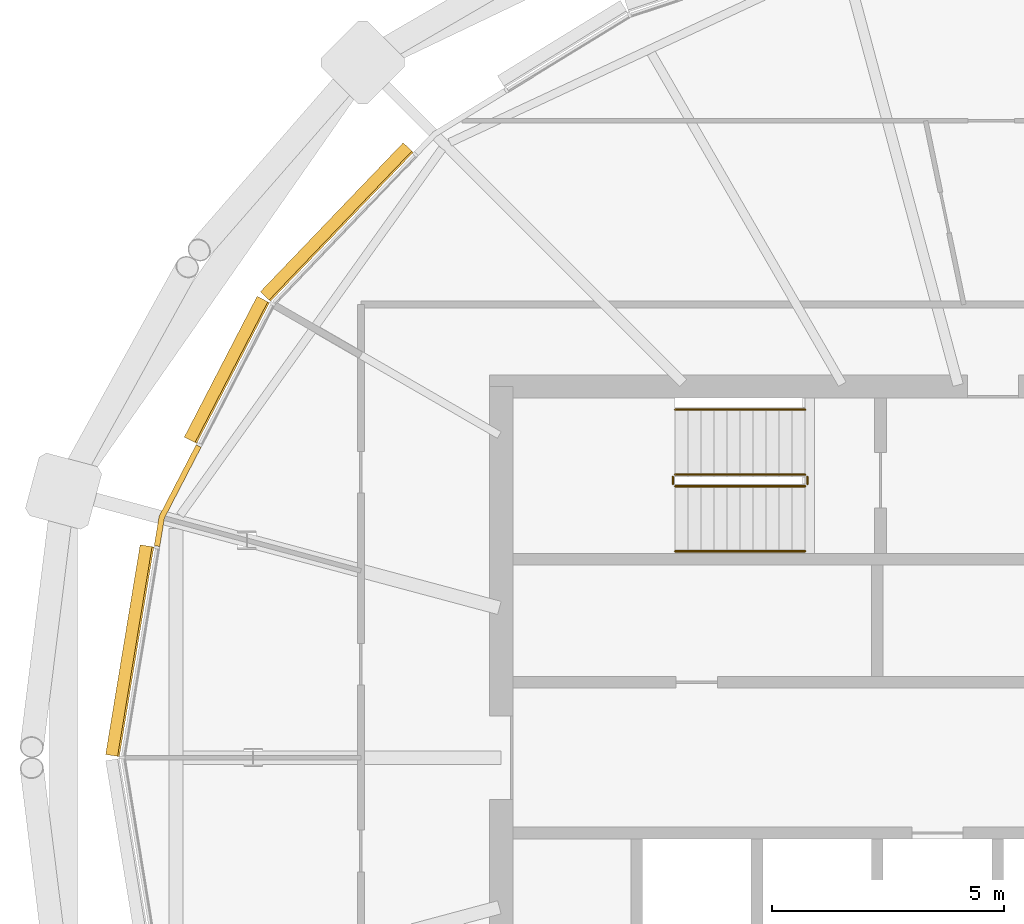
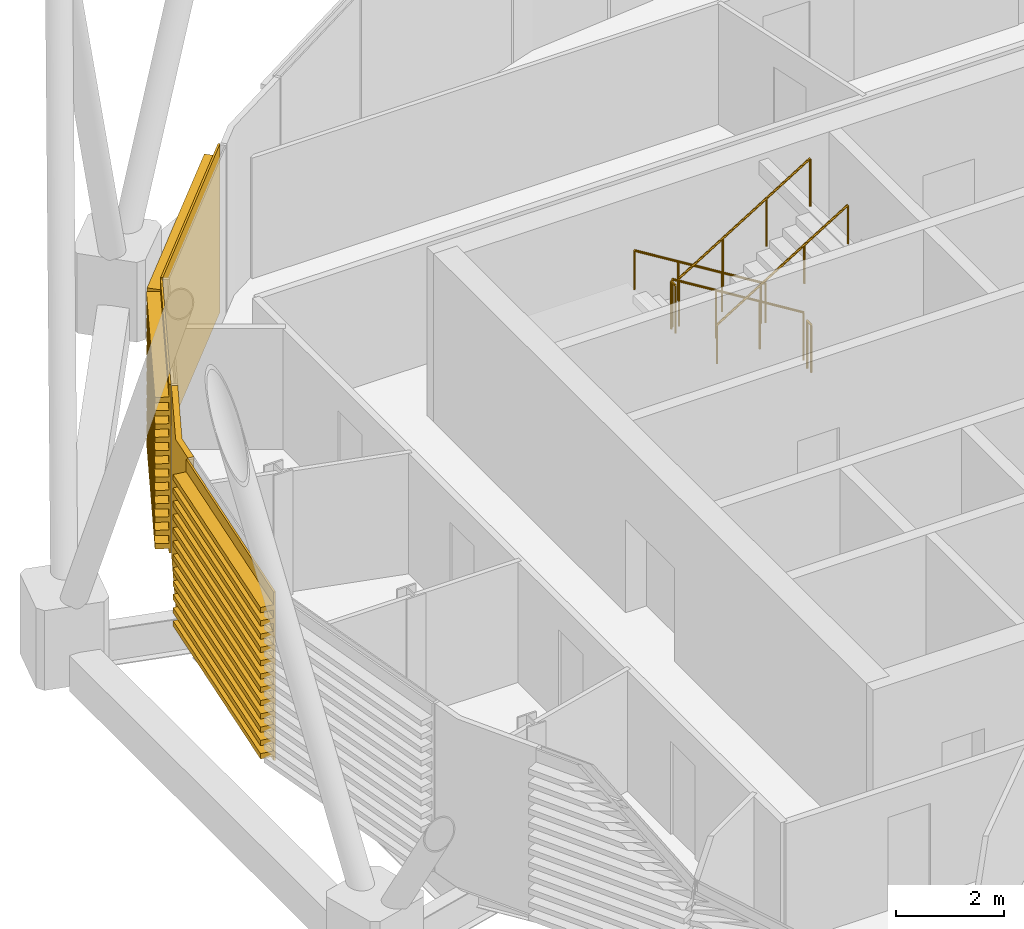
# One storey, part 27 of 31: 6 railings, 4 coverings.
"""IFC4 building model written with IfcOpenShell, lengths in metres."""

from ifc_helpers import new_model, si_unit, direction, frame, origin, origin_2d, place, context, subcontext, project, spatial, polyline, circle, outline, extrude, material, layer, layer_set, material_profile, profile_set, type_object, element, save


model = new_model("IFC4")

# Units and contexts
model_context = context("Model", 3, precision=1e-05, world=origin(), true_north=direction((0.0, 1.0)))
body_context = subcontext(model_context, "Body", "Model", "MODEL_VIEW")
ifc_project = project(units=[si_unit("LENGTHUNIT", "METRE"), si_unit("AREAUNIT", "SQUARE_METRE"), si_unit("VOLUMEUNIT", "CUBIC_METRE"), si_unit("PLANEANGLEUNIT", "RADIAN"), si_unit("MASSUNIT", "GRAM", prefix="KILO")], contexts=[model_context])

# Site, building, storey
site_placement = place(None, origin())
site = spatial("IfcSite", under=ifc_project, at=site_placement, CompositionType="ELEMENT")
building_placement = place(site_placement, origin())
building = spatial("IfcBuilding", under=site, at=building_placement, Name="Rimbun Link Towers", CompositionType="ELEMENT")
storey_placement = place(building_placement, frame((0.0, 0.0, 244.699951171875)))
storey = spatial("IfcBuildingStorey", under=building, at=storey_placement, Name="L60", CompositionType="ELEMENT", Elevation=244.699951171875)

# Covering
ifc_material_1 = material(Name="Terracotta", Category="masonry")
ifc_layer = layer(ifc_material_1, 0.1201171875)
ifc_layer_set = layer_set([ifc_layer], Name="LINK PIER terracotta cladding 120")
covering_type_1 = type_object("IfcCoveringType", Name="LINK PIER terracotta cladding 120", PredefinedType="CLADDING", material=ifc_layer_set)
covering_1_placement = place(storey_placement, origin())
element("IfcCovering", 1, at=covering_1_placement, inside=storey, type_object=covering_type_1, Name="LINK PIER cladding", PredefinedType="CLADDING", context=body_context, shape_type="SweptSolid", body=[
    extrude(outline(polyline([(-51.109619140625, 4.548828125), (-51.009033203125, 5.160400390625), (-50.21875, 6.688232421875), (-50.3251953125, 6.7431640625), (-51.12451171875, 5.19873046875), (-51.22802734375, 4.568115234375), (-51.109619140625, 4.548828125)])), origin(), (0.0, 0.0, 1.0), 3.800048828125),
])

# Railings
ifc_material_2 = material(Name="Stainless steel grade 316", Category="steel")
railing_type_1 = type_object("IfcRailingType", Name="Stair guard", PredefinedType="GUARDRAIL", material=ifc_material_2)
railing_1_placement = place(storey_placement, frame((-37.199951171875, 6.10009765625, 0.1728515625)))
element("IfcRailing", 2, at=railing_1_placement, inside=storey, type_object=railing_type_1, Name="L60 ST1 stair guard 1", PredefinedType="GUARDRAIL", context=body_context, shape_type="SweptSolid", body=[
    extrude(circle(Radius=0.02392578125, at=origin_2d()), frame((0.0, 0.0, 1.076171875), z_axis=(-0.851089632645, 0.0, 0.525020415988), x_axis=(0.0, -1.0, 0.0)), (0.0, 0.0, 1.0), 3.2900390625),
    extrude(circle(Radius=0.02099609375, at=origin_2d()), origin(), (0.0, 0.0, 1.0), 1.052001953125),
    extrude(circle(Radius=0.02099609375, at=origin_2d()), frame((-0.933349609375, 0.0, 0.57568359375)), (0.0, 0.0, 1.0), 1.052001953125),
    extrude(circle(Radius=0.02099609375, at=origin_2d()), frame((-1.86669921875, 0.0, 1.151611328125)), (0.0, 0.0, 1.0), 1.052001953125),
    extrude(circle(Radius=0.02099609375, at=origin_2d()), frame((-2.800048828125, 0.0, 1.727294921875)), (0.0, 0.0, 1.0), 1.052001953125),
])
railing_2_placement = place(storey_placement, frame((-40.050048828125, 6.050048828125, 1.900146484375)))
element("IfcRailing", 3, at=railing_2_placement, inside=storey, type_object=railing_type_1, Name="L60 ST1 stair guard 2", PredefinedType="GUARDRAIL", context=body_context, shape_type="SweptSolid", body=[
    extrude(circle(Radius=0.02392578125, at=origin_2d()), frame((0.0, 0.0, 1.076171875), z_axis=(0.0, -1.0, 0.0), x_axis=(1.0, 0.0, 0.0)), (0.0, 0.0, 1.0), 0.150146484375),
    extrude(circle(Radius=0.02099609375, at=origin_2d()), origin(), (0.0, 0.0, 1.0), 1.052001953125),
    extrude(circle(Radius=0.02099609375, at=origin_2d()), frame((0.0, -0.150146484375, 0.0)), (0.0, 0.0, 1.0), 1.052001953125),
])
railing_3_placement = place(storey_placement, frame((-40.0, 5.85009765625, 2.07275390625)))
element("IfcRailing", 4, at=railing_3_placement, inside=storey, type_object=railing_type_1, Name="L60 ST1 stair guard 3", PredefinedType="GUARDRAIL", context=body_context, shape_type="SweptSolid", body=[
    extrude(circle(Radius=0.02392578125, at=origin_2d()), frame((0.0, 0.0, 1.076171875), z_axis=(0.851089632645, 0.0, 0.525020415988), x_axis=(0.0, 1.0, 0.0)), (0.0, 0.0, 1.0), 3.2900390625),
    extrude(circle(Radius=0.02099609375, at=origin_2d()), origin(), (0.0, 0.0, 1.0), 1.052001953125),
    extrude(circle(Radius=0.02099609375, at=origin_2d()), frame((0.933349609375, 0.0, 0.57568359375)), (0.0, 0.0, 1.0), 1.052001953125),
    extrude(circle(Radius=0.02099609375, at=origin_2d()), frame((1.86669921875, 0.0, 1.151611328125)), (0.0, 0.0, 1.0), 1.052001953125),
    extrude(circle(Radius=0.02099609375, at=origin_2d()), frame((2.800048828125, 0.0, 1.727294921875)), (0.0, 0.0, 1.0), 1.052001953125),
])
railing_4_placement = place(storey_placement, frame((-37.14990234375, 6.050048828125, 0.0)))
element("IfcRailing", 5, at=railing_4_placement, inside=storey, type_object=railing_type_1, Name="L60 ST1 stair guard 4", PredefinedType="GUARDRAIL", context=body_context, shape_type="SweptSolid", body=[
    extrude(circle(Radius=0.02392578125, at=origin_2d()), frame((0.0, 0.0, 1.076171875), z_axis=(0.0, -1.0, 0.0), x_axis=(1.0, 0.0, 0.0)), (0.0, 0.0, 1.0), 0.150146484375),
    extrude(circle(Radius=0.02099609375, at=origin_2d()), origin(), (0.0, 0.0, 1.0), 1.052001953125),
    extrude(circle(Radius=0.02099609375, at=origin_2d()), frame((0.0, -0.150146484375, 0.0)), (0.0, 0.0, 1.0), 1.052001953125),
])
ifc_material_3 = material(Name="Stainless steel grade 316", Category="steel")
railing_type_2 = type_object("IfcRailingType", Name="Stair handrail", PredefinedType="HANDRAIL", material=ifc_material_3)
railing_5_placement = place(storey_placement, frame((-37.199951171875, 7.5, 0.1728515625)))
element("IfcRailing", 6, at=railing_5_placement, inside=storey, type_object=railing_type_2, Name="L60 ST1 stair handrail 1", PredefinedType="HANDRAIL", context=body_context, shape_type="SweptSolid", body=[
    extrude(circle(Radius=0.02392578125, at=origin_2d()), frame((0.0, 0.0, 0.8759765625), z_axis=(-0.851089632645, 0.0, 0.525020415988), x_axis=(0.0, -1.0, 0.0)), (0.0, 0.0, 1.0), 3.2900390625),
    extrude(circle(Radius=0.02099609375, at=origin_2d()), origin(), (0.0, 0.0, 1.0), 0.851806640625),
    extrude(circle(Radius=0.02099609375, at=origin_2d()), frame((-0.933349609375, 0.0, 0.57568359375)), (0.0, 0.0, 1.0), 0.851806640625),
    extrude(circle(Radius=0.02099609375, at=origin_2d()), frame((-1.86669921875, 0.0, 1.151611328125)), (0.0, 0.0, 1.0), 0.851806640625),
    extrude(circle(Radius=0.02099609375, at=origin_2d()), frame((-2.800048828125, 0.0, 1.727294921875)), (0.0, 0.0, 1.0), 0.851806640625),
])
railing_6_placement = place(storey_placement, frame((-40.0, 4.449951171875, 2.07275390625)))
element("IfcRailing", 7, at=railing_6_placement, inside=storey, type_object=railing_type_2, Name="L60 ST1 stair handrail 2", PredefinedType="HANDRAIL", context=body_context, shape_type="SweptSolid", body=[
    extrude(circle(Radius=0.02392578125, at=origin_2d()), frame((0.0, 0.0, 0.8759765625), z_axis=(0.851089632645, 0.0, 0.525020415988), x_axis=(0.0, 1.0, 0.0)), (0.0, 0.0, 1.0), 3.2900390625),
    extrude(circle(Radius=0.02099609375, at=origin_2d()), origin(), (0.0, 0.0, 1.0), 0.851806640625),
    extrude(circle(Radius=0.02099609375, at=origin_2d()), frame((0.933349609375, 0.0, 0.57568359375)), (0.0, 0.0, 1.0), 0.851806640625),
    extrude(circle(Radius=0.02099609375, at=origin_2d()), frame((1.86669921875, 0.0, 1.151611328125)), (0.0, 0.0, 1.0), 0.851806640625),
    extrude(circle(Radius=0.02099609375, at=origin_2d()), frame((2.800048828125, 0.0, 1.727294921875)), (0.0, 0.0, 1.0), 0.851806640625),
])

# Coverings
ifc_material_4 = material(Name="Terracotta", Category="masonry")
ifc_material_profile = material_profile(ifc_material_4, outline(polyline([(0.123046875, 0.0), (0.1630859375, 0.0), (0.1630859375, 0.10009765625), (0.423095703125, 0.10009765625), (0.423095703125, 0.219970703125), (0.1630859375, 0.219970703125), (0.1630859375, 0.39990234375), (0.423095703125, 0.39990234375), (0.423095703125, 0.52001953125), (0.1630859375, 0.52001953125), (0.1630859375, 0.699951171875), (0.423095703125, 0.699951171875), (0.423095703125, 0.820068359375), (0.1630859375, 0.820068359375), (0.1630859375, 1.0), (0.423095703125, 1.0), (0.423095703125, 1.1201171875), (0.1630859375, 1.1201171875), (0.1630859375, 1.300048828125), (0.423095703125, 1.300048828125), (0.423095703125, 1.419921875), (0.1630859375, 1.419921875), (0.1630859375, 1.60009765625), (0.423095703125, 1.60009765625), (0.423095703125, 1.719970703125), (0.1630859375, 1.719970703125), (0.1630859375, 1.89990234375), (0.423095703125, 1.89990234375), (0.423095703125, 2.02001953125), (0.1630859375, 2.02001953125), (0.1630859375, 2.199951171875), (0.423095703125, 2.199951171875), (0.423095703125, 2.320068359375), (0.1630859375, 2.320068359375), (0.1630859375, 2.5), (0.423095703125, 2.5), (0.423095703125, 2.6201171875), (0.1630859375, 2.6201171875), (0.1630859375, 2.800048828125), (0.423095703125, 2.800048828125), (0.423095703125, 2.919921875), (0.1630859375, 2.919921875), (0.1630859375, 3.10009765625), (0.423095703125, 3.10009765625), (0.423095703125, 3.219970703125), (0.1630859375, 3.219970703125), (0.1630859375, 3.39990234375), (0.423095703125, 3.39990234375), (0.423095703125, 3.52001953125), (0.1630859375, 3.52001953125), (0.1630859375, 3.800048828125), (0.123046875, 3.800048828125), (0.123046875, 0.0)])), Name="BAGUETTE 120X300")
ifc_profile_set = profile_set([ifc_material_profile], Name="Terracotta")
covering_type_2 = type_object("IfcCoveringType", Name="TERRACOTTA BAGUETTE 120X300 H3800", PredefinedType="CLADDING", material=ifc_profile_set)
covering_2_placement = place(storey_placement, frame((-48.635009765625, 9.74853515625, 0.0), z_axis=(0.692017431912, 0.721880789279, 0.0), x_axis=(-0.721880789279, 0.692017431912, 0.0)))
element("IfcCovering", 8, at=covering_2_placement, inside=storey, type_object=covering_type_2, Name="TERRACOTTA BAGUETTE", PredefinedType="CLADDING", context=body_context, shape_type="SweptSolid", body=[
    extrude(outline(polyline([(0.123046875, 0.0), (0.1630859375, 0.0), (0.1630859375, 0.10009765625), (0.423095703125, 0.10009765625), (0.423095703125, 0.219970703125), (0.1630859375, 0.219970703125), (0.1630859375, 0.39990234375), (0.423095703125, 0.39990234375), (0.423095703125, 0.52001953125), (0.1630859375, 0.52001953125), (0.1630859375, 0.699951171875), (0.423095703125, 0.699951171875), (0.423095703125, 0.820068359375), (0.1630859375, 0.820068359375), (0.1630859375, 1.0), (0.423095703125, 1.0), (0.423095703125, 1.1201171875), (0.1630859375, 1.1201171875), (0.1630859375, 1.300048828125), (0.423095703125, 1.300048828125), (0.423095703125, 1.419921875), (0.1630859375, 1.419921875), (0.1630859375, 1.60009765625), (0.423095703125, 1.60009765625), (0.423095703125, 1.719970703125), (0.1630859375, 1.719970703125), (0.1630859375, 1.89990234375), (0.423095703125, 1.89990234375), (0.423095703125, 2.02001953125), (0.1630859375, 2.02001953125), (0.1630859375, 2.199951171875), (0.423095703125, 2.199951171875), (0.423095703125, 2.320068359375), (0.1630859375, 2.320068359375), (0.1630859375, 2.5), (0.423095703125, 2.5), (0.423095703125, 2.6201171875), (0.1630859375, 2.6201171875), (0.1630859375, 2.800048828125), (0.423095703125, 2.800048828125), (0.423095703125, 2.919921875), (0.1630859375, 2.919921875), (0.1630859375, 3.10009765625), (0.423095703125, 3.10009765625), (0.423095703125, 3.219970703125), (0.1630859375, 3.219970703125), (0.1630859375, 3.39990234375), (0.423095703125, 3.39990234375), (0.423095703125, 3.52001953125), (0.1630859375, 3.52001953125), (0.1630859375, 3.800048828125), (0.123046875, 3.800048828125), (0.123046875, 0.0)])), origin(), (0.0, 0.0, 1.0), 4.447265625),
])
covering_3_placement = place(storey_placement, frame((-50.204833984375, 6.71484375, 0.0), z_axis=(0.459578465218, 0.888137170885, 0.0), x_axis=(-0.888137170885, 0.459578465218, 0.0)))
element("IfcCovering", 9, at=covering_3_placement, inside=storey, type_object=covering_type_2, Name="TERRACOTTA BAGUETTE", PredefinedType="CLADDING", context=body_context, shape_type="SweptSolid", body=[
    extrude(outline(polyline([(0.123046875, 0.0), (0.1630859375, 0.0), (0.1630859375, 0.10009765625), (0.423095703125, 0.10009765625), (0.423095703125, 0.219970703125), (0.1630859375, 0.219970703125), (0.1630859375, 0.39990234375), (0.423095703125, 0.39990234375), (0.423095703125, 0.52001953125), (0.1630859375, 0.52001953125), (0.1630859375, 0.699951171875), (0.423095703125, 0.699951171875), (0.423095703125, 0.820068359375), (0.1630859375, 0.820068359375), (0.1630859375, 1.0), (0.423095703125, 1.0), (0.423095703125, 1.1201171875), (0.1630859375, 1.1201171875), (0.1630859375, 1.300048828125), (0.423095703125, 1.300048828125), (0.423095703125, 1.419921875), (0.1630859375, 1.419921875), (0.1630859375, 1.60009765625), (0.423095703125, 1.60009765625), (0.423095703125, 1.719970703125), (0.1630859375, 1.719970703125), (0.1630859375, 1.89990234375), (0.423095703125, 1.89990234375), (0.423095703125, 2.02001953125), (0.1630859375, 2.02001953125), (0.1630859375, 2.199951171875), (0.423095703125, 2.199951171875), (0.423095703125, 2.320068359375), (0.1630859375, 2.320068359375), (0.1630859375, 2.5), (0.423095703125, 2.5), (0.423095703125, 2.6201171875), (0.1630859375, 2.6201171875), (0.1630859375, 2.800048828125), (0.423095703125, 2.800048828125), (0.423095703125, 2.919921875), (0.1630859375, 2.919921875), (0.1630859375, 3.10009765625), (0.423095703125, 3.10009765625), (0.423095703125, 3.219970703125), (0.1630859375, 3.219970703125), (0.1630859375, 3.39990234375), (0.423095703125, 3.39990234375), (0.423095703125, 3.52001953125), (0.1630859375, 3.52001953125), (0.1630859375, 3.800048828125), (0.123046875, 3.800048828125), (0.123046875, 0.0)])), origin(), (0.0, 0.0, 1.0), 3.415771484375),
])
covering_4_placement = place(storey_placement, frame((-51.857666015625, 0.0, 0.0), z_axis=(0.162272015978, 0.986746062992, 0.0), x_axis=(-0.986746062992, 0.162272015978, 0.0)))
element("IfcCovering", 10, at=covering_4_placement, inside=storey, type_object=covering_type_2, Name="TERRACOTTA BAGUETTE", PredefinedType="CLADDING", context=body_context, shape_type="SweptSolid", body=[
    extrude(outline(polyline([(0.123046875, 0.0), (0.1630859375, 0.0), (0.1630859375, 0.10009765625), (0.423095703125, 0.10009765625), (0.423095703125, 0.219970703125), (0.1630859375, 0.219970703125), (0.1630859375, 0.39990234375), (0.423095703125, 0.39990234375), (0.423095703125, 0.52001953125), (0.1630859375, 0.52001953125), (0.1630859375, 0.699951171875), (0.423095703125, 0.699951171875), (0.423095703125, 0.820068359375), (0.1630859375, 0.820068359375), (0.1630859375, 1.0), (0.423095703125, 1.0), (0.423095703125, 1.1201171875), (0.1630859375, 1.1201171875), (0.1630859375, 1.300048828125), (0.423095703125, 1.300048828125), (0.423095703125, 1.419921875), (0.1630859375, 1.419921875), (0.1630859375, 1.60009765625), (0.423095703125, 1.60009765625), (0.423095703125, 1.719970703125), (0.1630859375, 1.719970703125), (0.1630859375, 1.89990234375), (0.423095703125, 1.89990234375), (0.423095703125, 2.02001953125), (0.1630859375, 2.02001953125), (0.1630859375, 2.199951171875), (0.423095703125, 2.199951171875), (0.423095703125, 2.320068359375), (0.1630859375, 2.320068359375), (0.1630859375, 2.5), (0.423095703125, 2.5), (0.423095703125, 2.6201171875), (0.1630859375, 2.6201171875), (0.1630859375, 2.800048828125), (0.423095703125, 2.800048828125), (0.423095703125, 2.919921875), (0.1630859375, 2.919921875), (0.1630859375, 3.10009765625), (0.423095703125, 3.10009765625), (0.423095703125, 3.219970703125), (0.1630859375, 3.219970703125), (0.1630859375, 3.39990234375), (0.423095703125, 3.39990234375), (0.423095703125, 3.52001953125), (0.1630859375, 3.52001953125), (0.1630859375, 3.800048828125), (0.123046875, 3.800048828125), (0.123046875, 0.0)])), origin(), (0.0, 0.0, 1.0), 4.579833984375),
])

save(model, "model.ifc")
